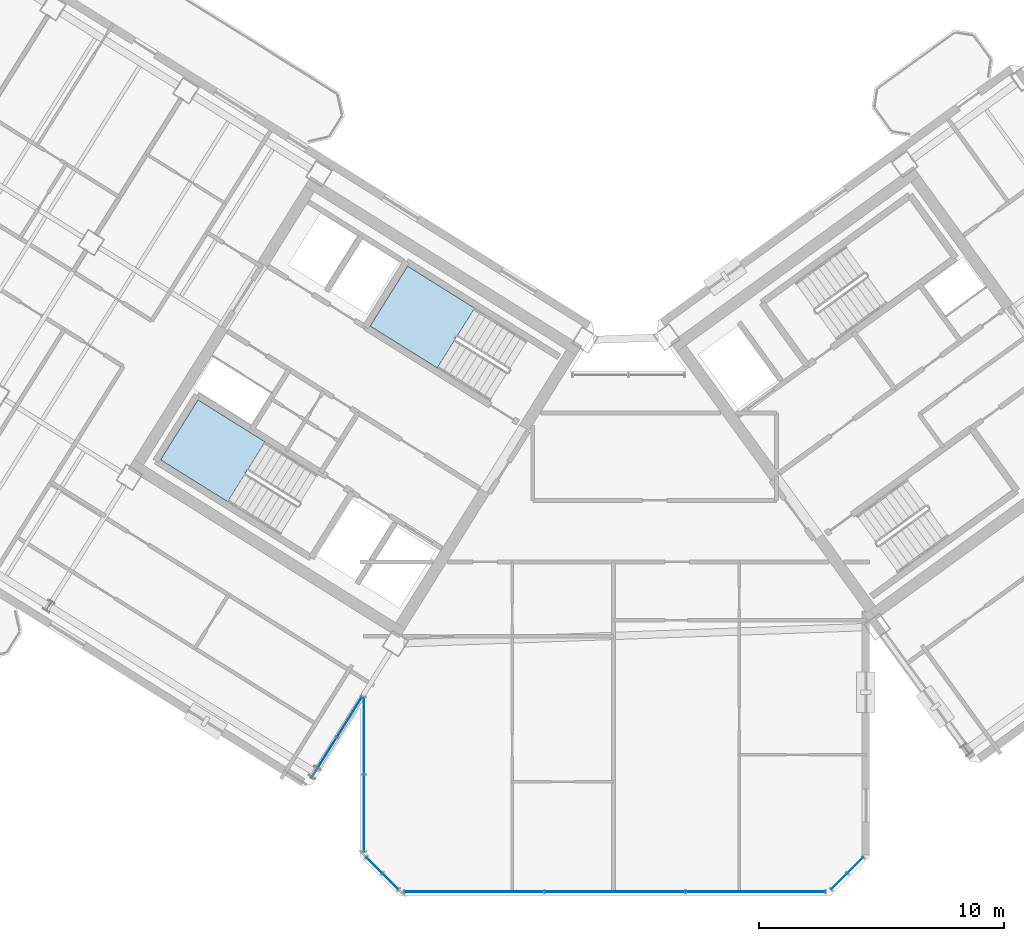
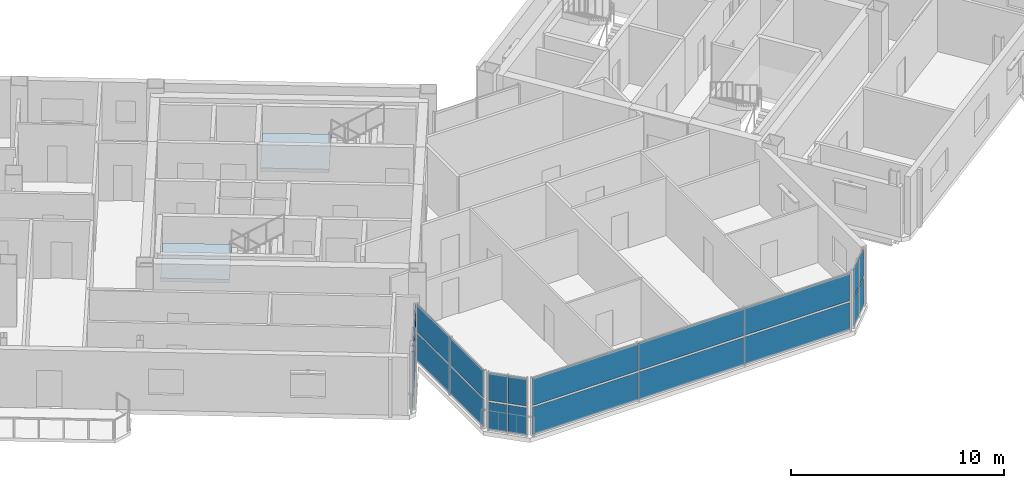
# One storey, part 14 of 27: 22 plates, 2 slabs, 7 elements without a shape of their own.
"""IFC4 building model written with IfcOpenShell, lengths in metres."""

from ifc_helpers import new_model, si_unit, direction, frame, origin, origin_2d, place, context, subcontext, project, spatial, polyline, rectangle, outline, extrude, source, transform, mapped, material, layer, layer_set, type_object, element, aggregate, save


model = new_model("IFC4")

# Units and contexts
model_context = context("Model", 3, precision=1e-05, world=origin(), true_north=direction((0.0, 1.0)))
body_context = subcontext(model_context, "Body", "Model", "MODEL_VIEW")
ifc_project = project(units=[si_unit("LENGTHUNIT", "METRE"), si_unit("AREAUNIT", "SQUARE_METRE"), si_unit("VOLUMEUNIT", "CUBIC_METRE"), si_unit("PLANEANGLEUNIT", "RADIAN"), si_unit("MASSUNIT", "GRAM", prefix="KILO")], contexts=[model_context])

# Site, building, storey
site_placement = place(None, origin())
site = spatial("IfcSite", under=ifc_project, at=site_placement, CompositionType="ELEMENT")
building_placement = place(site_placement, origin())
building = spatial("IfcBuilding", under=site, at=building_placement, Name="Tlacorven Tower", CompositionType="ELEMENT")
storey_placement = place(building_placement, frame((0.0, 0.0, 242.10009765625)))
storey = spatial("IfcBuildingStorey", under=building, at=storey_placement, Name="L61", CompositionType="ELEMENT", Elevation=242.10009765625)

# Stair, slab
ifc_material_1 = material(Name="Concrete C40/50", Category="concrete")
stair_type = type_object("IfcStairType", Name="ST-CORE-DLG", PredefinedType="HALF_TURN_STAIR", material=ifc_material_1)
stair_1_placement = place(storey_placement, origin())
stair_1 = element("IfcStair", 1, at=stair_1_placement, inside=storey, type_object=stair_type, Name="L61 Protected Exit Stair West 1", PredefinedType="HALF_TURN_STAIR")
ifc_layer_1 = layer(ifc_material_1, 0.199951171875)
ifc_layer_set_1 = layer_set([ifc_layer_1], Name="Concrete C40/50")
slab_type = type_object("IfcSlabType", Name="SL-LND-200", PredefinedType="LANDING", material=ifc_layer_set_1)
slab_1_placement = place(storey_placement, frame((0.0, 0.0, 1.599853515625)))
slab_1 = element("IfcSlab", 2, at=slab_1_placement, type_object=slab_type, Name="ST-W1 landing 1", PredefinedType="LANDING", context=body_context, shape_type="SweptSolid", body=[
    extrude(outline(polyline([(27.728515625, 20.315185546875), (24.9892578125, 22.02685546875), (23.463134765625, 19.58447265625), (26.2021484375, 17.872802734375), (27.728515625, 20.315185546875)])), origin(), (0.0, 0.0, 1.0), 0.199951171875),
])
aggregate(stair_1, [slab_1])

stair_2_placement = place(storey_placement, origin())
stair_2 = element("IfcStair", 3, at=stair_2_placement, inside=storey, type_object=stair_type, Name="L61 Protected Exit Stair West 2", PredefinedType="HALF_TURN_STAIR")
slab_2_placement = place(storey_placement, frame((0.0, 0.0, 1.599853515625)))
slab_2 = element("IfcSlab", 4, at=slab_2_placement, type_object=slab_type, Name="ST-W2 landing 1", PredefinedType="LANDING", context=body_context, shape_type="SweptSolid", body=[
    extrude(outline(polyline([(36.280029296875, 25.772705078125), (33.540771484375, 27.484375), (32.0146484375, 25.0419921875), (34.75390625, 23.33056640625), (36.280029296875, 25.772705078125)])), origin(), (0.0, 0.0, 1.0), 0.199951171875),
])
aggregate(stair_2, [slab_2])

# Curtain wall, plates
ifc_material_2 = material(Name="Dark solar low-E double glazing in aluminium frame", Category="aluminium")
curtain_wall_type = type_object("IfcCurtainWallType", Name="CW-TWR-HIGH", PredefinedType="USERDEFINED", material=ifc_material_2)
curtain_wall_1_placement = place(storey_placement, origin())
curtain_wall_1 = element("IfcCurtainWall", 5, at=curtain_wall_1_placement, inside=storey, type_object=curtain_wall_type, Name="L61 CW-TWR-HIGH Curtain Wall 278", ObjectType="UNITISED CURTAIN WALL", PredefinedType="USERDEFINED")
ifc_material_3 = material(Name="High-wind dark solar tempered low-E glazing", Category="glass")
ifc_layer_2 = layer(ifc_material_3, 0.028076171875)
ifc_layer_set_2 = layer_set([ifc_layer_2], Name="High-wind dark solar tempered low-E glazing")
plate_type = type_object("IfcPlateType", Name="CWP-03", PredefinedType="CURTAIN_PANEL", material=ifc_layer_set_2)
shared_shape_1 = source(origin(), body_context, "Body", "SweptSolid", [
    extrude(rectangle(XDim=0.89306640625, YDim=0.028076171875, at=origin_2d()), origin(), (0.0, 0.0, 1.0), 1.55810546875),
])
plate_1_placement = place(storey_placement, frame((51.8173828125, 3.043701171875, 0.05078125), z_axis=(0.0, 0.0, 1.0), x_axis=(-0.707106781187, -0.707106781187, 0.0)))
plate_1 = element("IfcPlate", 6, at=plate_1_placement, type_object=plate_type, Name="CW-L61-278 Glazing Panel 1", PredefinedType="CURTAIN_PANEL", context=body_context, shape_type="MappedRepresentation", body=[
    mapped(shared_shape_1, transform((0.0, 0.0, 0.0), scale=1.0)),
])
plate_2_placement = place(storey_placement, frame((51.8173828125, 3.043701171875, 1.7109375), z_axis=(0.0, 0.0, 1.0), x_axis=(-0.707106781187, -0.707106781187, 0.0)))
plate_2 = element("IfcPlate", 7, at=plate_2_placement, type_object=plate_type, Name="CW-L61-278 Glazing Panel 2", PredefinedType="CURTAIN_PANEL", context=body_context, shape_type="MappedRepresentation", body=[
    mapped(shared_shape_1, transform((0.0, 0.0, 0.0), scale=1.0)),
])
plate_3_placement = place(storey_placement, frame((51.15625, 2.382568359375, 0.05078125), z_axis=(0.0, 0.0, 1.0), x_axis=(-0.707106781187, -0.707106781187, 0.0)))
plate_3 = element("IfcPlate", 8, at=plate_3_placement, type_object=plate_type, Name="CW-L61-278 Glazing Panel 3", PredefinedType="CURTAIN_PANEL", context=body_context, shape_type="MappedRepresentation", body=[
    mapped(shared_shape_1, transform((0.0, 0.0, 0.0), scale=1.0)),
])
plate_4_placement = place(storey_placement, frame((51.15625, 2.382568359375, 1.7109375), z_axis=(0.0, 0.0, 1.0), x_axis=(-0.707106781187, -0.707106781187, 0.0)))
plate_4 = element("IfcPlate", 9, at=plate_4_placement, type_object=plate_type, Name="CW-L61-278 Glazing Panel 4", PredefinedType="CURTAIN_PANEL", context=body_context, shape_type="MappedRepresentation", body=[
    mapped(shared_shape_1, transform((0.0, 0.0, 0.0), scale=1.0)),
])
aggregate(curtain_wall_1, [plate_1, plate_2, plate_3, plate_4])

curtain_wall_2_placement = place(storey_placement, origin())
curtain_wall_2 = element("IfcCurtainWall", 10, at=curtain_wall_2_placement, inside=storey, type_object=curtain_wall_type, Name="L61 CW-TWR-HIGH Curtain Wall 280", ObjectType="UNITISED CURTAIN WALL", PredefinedType="USERDEFINED")
plate_5_placement = place(storey_placement, frame((32.84375, 2.382568359375, 0.05078125), z_axis=(0.0, 0.0, 1.0), x_axis=(-0.707106781187, 0.707106781187, 0.0)))
plate_5 = element("IfcPlate", 11, at=plate_5_placement, type_object=plate_type, Name="CW-L61-280 Glazing Panel 1", PredefinedType="CURTAIN_PANEL", context=body_context, shape_type="MappedRepresentation", body=[
    mapped(shared_shape_1, transform((0.0, 0.0, 0.0), scale=1.0)),
])
plate_6_placement = place(storey_placement, frame((32.84375, 2.382568359375, 1.7109375), z_axis=(0.0, 0.0, 1.0), x_axis=(-0.707106781187, 0.707106781187, 0.0)))
plate_6 = element("IfcPlate", 12, at=plate_6_placement, type_object=plate_type, Name="CW-L61-280 Glazing Panel 2", PredefinedType="CURTAIN_PANEL", context=body_context, shape_type="MappedRepresentation", body=[
    mapped(shared_shape_1, transform((0.0, 0.0, 0.0), scale=1.0)),
])
plate_7_placement = place(storey_placement, frame((32.1826171875, 3.043701171875, 0.05078125), z_axis=(0.0, 0.0, 1.0), x_axis=(-0.707106781187, 0.707106781187, 0.0)))
plate_7 = element("IfcPlate", 13, at=plate_7_placement, type_object=plate_type, Name="CW-L61-280 Glazing Panel 3", PredefinedType="CURTAIN_PANEL", context=body_context, shape_type="MappedRepresentation", body=[
    mapped(shared_shape_1, transform((0.0, 0.0, 0.0), scale=1.0)),
])
plate_8_placement = place(storey_placement, frame((32.1826171875, 3.043701171875, 1.7109375), z_axis=(0.0, 0.0, 1.0), x_axis=(-0.707106781187, 0.707106781187, 0.0)))
plate_8 = element("IfcPlate", 14, at=plate_8_placement, type_object=plate_type, Name="CW-L61-280 Glazing Panel 4", PredefinedType="CURTAIN_PANEL", context=body_context, shape_type="MappedRepresentation", body=[
    mapped(shared_shape_1, transform((0.0, 0.0, 0.0), scale=1.0)),
])
aggregate(curtain_wall_2, [plate_5, plate_6, plate_7, plate_8])

curtain_wall_3_placement = place(storey_placement, origin())
curtain_wall_3 = element("IfcCurtainWall", 15, at=curtain_wall_3_placement, inside=storey, type_object=curtain_wall_type, Name="L61 CW-TWR-HIGH Curtain Wall 279", ObjectType="UNITISED CURTAIN WALL", PredefinedType="USERDEFINED")
shared_shape_2 = source(origin(), body_context, "Body", "SweptSolid", [
    extrude(rectangle(XDim=5.683837890625, YDim=0.028076171875, at=origin_2d()), origin(), (0.0, 0.0, 1.0), 1.55810546875),
])
plate_9_placement = place(storey_placement, frame((47.74072265625, 1.9599609375, 0.05078125), z_axis=(0.0, 0.0, 1.0), x_axis=(-1.0, 0.0, 0.0)))
plate_9 = element("IfcPlate", 16, at=plate_9_placement, type_object=plate_type, Name="CW-L61-279 Glazing Panel 1", PredefinedType="CURTAIN_PANEL", context=body_context, shape_type="MappedRepresentation", body=[
    mapped(shared_shape_2, transform((0.0, 0.0, 0.0), scale=1.0)),
])
plate_10_placement = place(storey_placement, frame((47.74072265625, 1.9599609375, 1.7109375), z_axis=(0.0, 0.0, 1.0), x_axis=(-1.0, 0.0, 0.0)))
plate_10 = element("IfcPlate", 17, at=plate_10_placement, type_object=plate_type, Name="CW-L61-279 Glazing Panel 2", PredefinedType="CURTAIN_PANEL", context=body_context, shape_type="MappedRepresentation", body=[
    mapped(shared_shape_2, transform((0.0, 0.0, 0.0), scale=1.0)),
])
plate_11_placement = place(storey_placement, frame((36.25927734375, 1.9599609375, 0.05078125), z_axis=(0.0, 0.0, 1.0), x_axis=(-1.0, 0.0, 0.0)))
plate_11 = element("IfcPlate", 18, at=plate_11_placement, type_object=plate_type, Name="CW-L61-279 Glazing Panel 5", PredefinedType="CURTAIN_PANEL", context=body_context, shape_type="MappedRepresentation", body=[
    mapped(shared_shape_2, transform((0.0, 0.0, 0.0), scale=1.0)),
])
plate_12_placement = place(storey_placement, frame((36.25927734375, 1.9599609375, 1.7109375), z_axis=(0.0, 0.0, 1.0), x_axis=(-1.0, 0.0, 0.0)))
plate_12 = element("IfcPlate", 19, at=plate_12_placement, type_object=plate_type, Name="CW-L61-279 Glazing Panel 6", PredefinedType="CURTAIN_PANEL", context=body_context, shape_type="MappedRepresentation", body=[
    mapped(shared_shape_2, transform((0.0, 0.0, 0.0), scale=1.0)),
])
shared_shape_3 = source(origin(), body_context, "Body", "SweptSolid", [
    extrude(rectangle(XDim=5.7138671875, YDim=0.028076171875, at=origin_2d()), origin(), (0.0, 0.0, 1.0), 1.55810546875),
])
plate_13_placement = place(storey_placement, frame((42.0, 1.9599609375, 0.05078125), z_axis=(0.0, 0.0, 1.0), x_axis=(-1.0, 0.0, 0.0)))
plate_13 = element("IfcPlate", 20, at=plate_13_placement, type_object=plate_type, Name="CW-L61-279 Glazing Panel 3", PredefinedType="CURTAIN_PANEL", context=body_context, shape_type="MappedRepresentation", body=[
    mapped(shared_shape_3, transform((0.0, 0.0, 0.0), scale=1.0)),
])
plate_14_placement = place(storey_placement, frame((42.0, 1.9599609375, 1.7109375), z_axis=(0.0, 0.0, 1.0), x_axis=(-1.0, 0.0, 0.0)))
plate_14 = element("IfcPlate", 21, at=plate_14_placement, type_object=plate_type, Name="CW-L61-279 Glazing Panel 4", PredefinedType="CURTAIN_PANEL", context=body_context, shape_type="MappedRepresentation", body=[
    mapped(shared_shape_3, transform((0.0, 0.0, 0.0), scale=1.0)),
])
aggregate(curtain_wall_3, [plate_9, plate_10, plate_13, plate_14, plate_11, plate_12])

curtain_wall_4_placement = place(storey_placement, origin())
curtain_wall_4 = element("IfcCurtainWall", 22, at=curtain_wall_4_placement, inside=storey, type_object=curtain_wall_type, Name="L61 CW-TWR-HIGH Curtain Wall 281", ObjectType="UNITISED CURTAIN WALL", PredefinedType="USERDEFINED")
shared_shape_4 = source(origin(), body_context, "Body", "SweptSolid", [
    extrude(rectangle(XDim=3.109130859375, YDim=0.028076171875, at=origin_2d()), origin(), (0.0, 0.0, 1.0), 1.55810546875),
])
plate_15_placement = place(storey_placement, frame((31.760009765625, 5.171875, 0.05078125), z_axis=(0.0, 0.0, 1.0), x_axis=(0.0, 1.0, 0.0)))
plate_15 = element("IfcPlate", 23, at=plate_15_placement, type_object=plate_type, Name="CW-L61-281 Glazing Panel 1", PredefinedType="CURTAIN_PANEL", context=body_context, shape_type="MappedRepresentation", body=[
    mapped(shared_shape_4, transform((0.0, 0.0, 0.0), scale=1.0)),
])
plate_16_placement = place(storey_placement, frame((31.760009765625, 5.171875, 1.7109375), z_axis=(0.0, 0.0, 1.0), x_axis=(0.0, 1.0, 0.0)))
plate_16 = element("IfcPlate", 24, at=plate_16_placement, type_object=plate_type, Name="CW-L61-281 Glazing Panel 2", PredefinedType="CURTAIN_PANEL", context=body_context, shape_type="MappedRepresentation", body=[
    mapped(shared_shape_4, transform((0.0, 0.0, 0.0), scale=1.0)),
])
plate_17_placement = place(storey_placement, frame((31.760009765625, 8.322998046875, 0.05078125), z_axis=(0.0, 0.0, 1.0), x_axis=(0.0, 1.0, 0.0)))
plate_17 = element("IfcPlate", 25, at=plate_17_placement, type_object=plate_type, Name="CW-L61-281 Glazing Panel 3", PredefinedType="CURTAIN_PANEL", context=body_context, shape_type="MappedRepresentation", body=[
    mapped(shared_shape_4, transform((0.0, 0.0, 0.0), scale=1.0)),
])
plate_18_placement = place(storey_placement, frame((31.760009765625, 8.322998046875, 1.7109375), z_axis=(0.0, 0.0, 1.0), x_axis=(0.0, 1.0, 0.0)))
plate_18 = element("IfcPlate", 26, at=plate_18_placement, type_object=plate_type, Name="CW-L61-281 Glazing Panel 4", PredefinedType="CURTAIN_PANEL", context=body_context, shape_type="MappedRepresentation", body=[
    mapped(shared_shape_4, transform((0.0, 0.0, 0.0), scale=1.0)),
])
aggregate(curtain_wall_4, [plate_15, plate_16, plate_17, plate_18])

curtain_wall_5_placement = place(storey_placement, origin())
curtain_wall_5 = element("IfcCurtainWall", 27, at=curtain_wall_5_placement, inside=storey, type_object=curtain_wall_type, Name="L61 CW-TWR-HIGH Curtain Wall 282", ObjectType="UNITISED CURTAIN WALL", PredefinedType="USERDEFINED")
shared_shape_5 = source(origin(), body_context, "Body", "SweptSolid", [
    extrude(rectangle(XDim=1.911376953125, YDim=0.028076171875, at=origin_2d()), origin(), (0.0, 0.0, 1.0), 1.55810546875),
])
plate_19_placement = place(storey_placement, frame((31.173583984375, 9.090087890625, 0.05078125), z_axis=(0.0, 0.0, 1.0), x_axis=(-0.529918710919, -0.848048441905, 0.0)))
plate_19 = element("IfcPlate", 28, at=plate_19_placement, type_object=plate_type, Name="CW-L61-282 Glazing Panel 1", PredefinedType="CURTAIN_PANEL", context=body_context, shape_type="MappedRepresentation", body=[
    mapped(shared_shape_5, transform((0.0, 0.0, 0.0), scale=1.0)),
])
plate_20_placement = place(storey_placement, frame((31.173583984375, 9.090087890625, 1.7109375), z_axis=(0.0, 0.0, 1.0), x_axis=(-0.529918710919, -0.848048441905, 0.0)))
plate_20 = element("IfcPlate", 29, at=plate_20_placement, type_object=plate_type, Name="CW-L61-282 Glazing Panel 2", PredefinedType="CURTAIN_PANEL", context=body_context, shape_type="MappedRepresentation", body=[
    mapped(shared_shape_5, transform((0.0, 0.0, 0.0), scale=1.0)),
])
plate_21_placement = place(storey_placement, frame((30.138427734375, 7.43359375, 0.05078125), z_axis=(0.0, 0.0, 1.0), x_axis=(-0.529918710919, -0.848048441905, 0.0)))
plate_21 = element("IfcPlate", 30, at=plate_21_placement, type_object=plate_type, Name="CW-L61-282 Glazing Panel 3", PredefinedType="CURTAIN_PANEL", context=body_context, shape_type="MappedRepresentation", body=[
    mapped(shared_shape_5, transform((0.0, 0.0, 0.0), scale=1.0)),
])
plate_22_placement = place(storey_placement, frame((30.138427734375, 7.43359375, 1.7109375), z_axis=(0.0, 0.0, 1.0), x_axis=(-0.529918710919, -0.848048441905, 0.0)))
plate_22 = element("IfcPlate", 31, at=plate_22_placement, type_object=plate_type, Name="CW-L61-282 Glazing Panel 4", PredefinedType="CURTAIN_PANEL", context=body_context, shape_type="MappedRepresentation", body=[
    mapped(shared_shape_5, transform((0.0, 0.0, 0.0), scale=1.0)),
])
aggregate(curtain_wall_5, [plate_19, plate_20, plate_21, plate_22])

save(model, "model.ifc")
